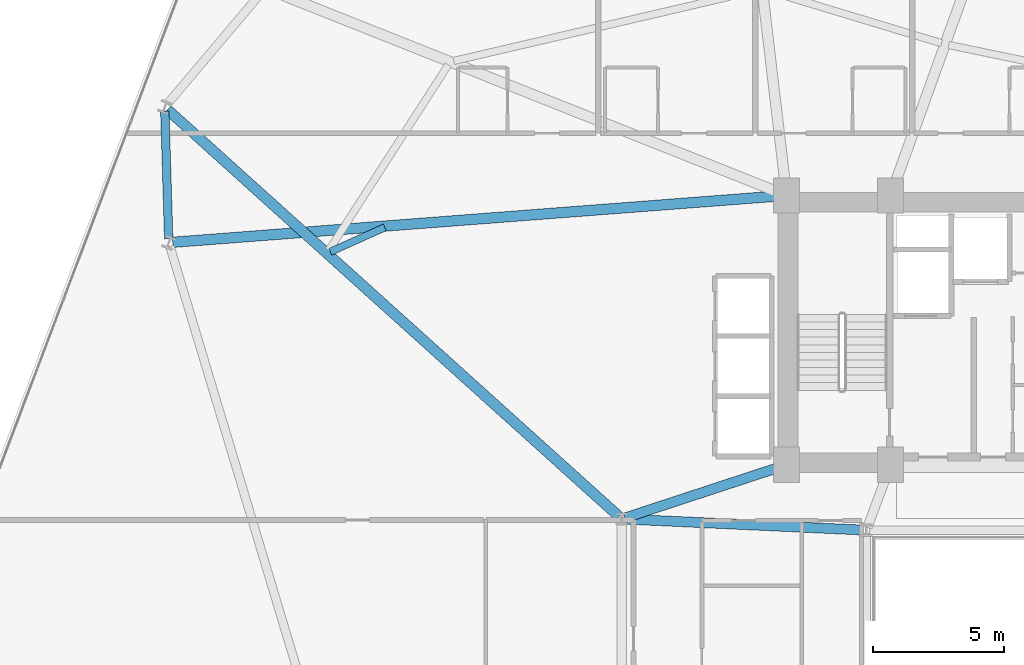
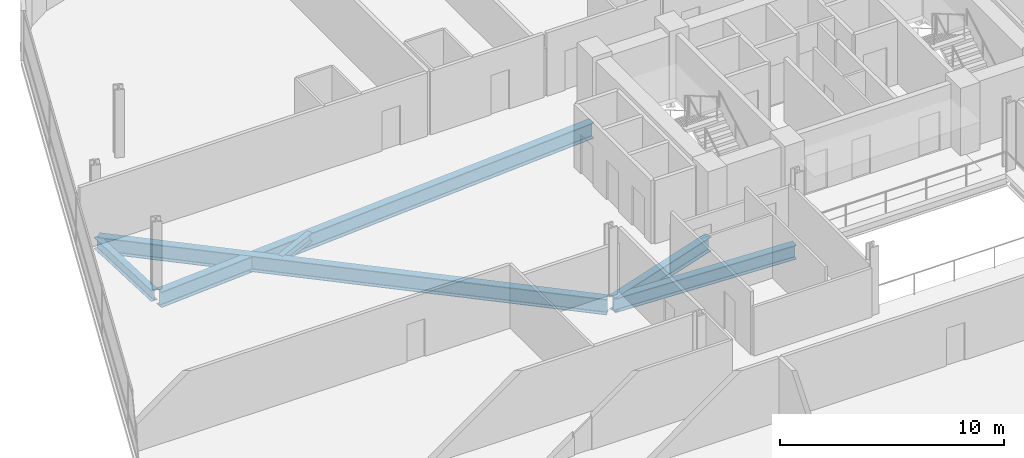
# One storey, part 7 of 24: 6 beams.
"""IFC4 building model written with IfcOpenShell, lengths in metres."""

from ifc_helpers import new_model, si_unit, direction, frame, origin, origin_2d, place, context, subcontext, project, spatial, i_section, extrude, material, material_profile, profile_set, type_object, element, save


model = new_model("IFC4")

# Units and contexts
model_context = context("Model", 3, precision=1e-05, world=origin(), true_north=direction((0.0, 1.0)))
body_context = subcontext(model_context, "Body", "Model", "MODEL_VIEW")
ifc_project = project(units=[si_unit("LENGTHUNIT", "METRE"), si_unit("AREAUNIT", "SQUARE_METRE"), si_unit("VOLUMEUNIT", "CUBIC_METRE"), si_unit("PLANEANGLEUNIT", "RADIAN"), si_unit("MASSUNIT", "GRAM", prefix="KILO")], contexts=[model_context])

# Site, building, storey
site_placement = place(None, origin())
site = spatial("IfcSite", under=ifc_project, at=site_placement, CompositionType="ELEMENT")
building_placement = place(site_placement, origin())
building = spatial("IfcBuilding", under=site, at=building_placement, Name="Varnelok Gate Tower", CompositionType="ELEMENT")
storey_placement = place(building_placement, frame((0.0, 0.0, 87.300048828125)))
storey = spatial("IfcBuildingStorey", under=building, at=storey_placement, Name="L21", CompositionType="ELEMENT", Elevation=87.300048828125)

# Beams
ifc_material = material(Name="Structural Steel ASTM A992 Grade 50", Category="steel")
ifc_material_profile_1 = material_profile(ifc_material, i_section(OverallWidth=0.280029296875, OverallDepth=0.462890625, WebThickness=0.0107421875, FlangeThickness=0.017333984375, FilletRadius=0.014892578125, at=origin_2d()), Name="W18X76")
ifc_profile_set_1 = profile_set([ifc_material_profile_1], Name="Structural Steel ASTM A992 Grade 50")
beam_type_1 = type_object("IfcBeamType", Name="BM-JST-W18X76", PredefinedType="JOIST", material=ifc_profile_set_1)
beam_1_placement = place(storey_placement, frame((13.25537109375, 36.894287109375, -0.4814453125), z_axis=(0.912301338423, 0.409519557423, 0.0), x_axis=(-0.409519557423, 0.912301338423, 0.0)))
element("IfcBeam", 1, at=beam_1_placement, inside=storey, type_object=beam_type_1, Name="L21 Sector Floor Joist 13", PredefinedType="JOIST", context=body_context, shape_type="SweptSolid", body=[
    extrude(i_section(OverallWidth=0.280029296875, OverallDepth=0.462890625, WebThickness=0.0107421875, FlangeThickness=0.017333984375, FilletRadius=0.014892578125, at=origin_2d()), origin(), (0.0, 0.0, 1.0), 2.28271484375),
])
ifc_material_profile_2 = material_profile(ifc_material, i_section(OverallWidth=0.381103515625, OverallDepth=0.77294921875, WebThickness=0.0166015625, FlangeThickness=0.027099609375, FilletRadius=0.02197265625, at=origin_2d()), Name="W30X173")
ifc_profile_set_2 = profile_set([ifc_material_profile_2], Name="Structural Steel ASTM A992 Grade 50")
beam_type_2 = type_object("IfcBeamType", Name="BM-PRI-W30X173", PredefinedType="BEAM", material=ifc_profile_set_2)
beam_2_placement = place(storey_placement, frame((24.52001953125, 26.674560546875, -0.636474609375), z_axis=(0.99894427814, -0.045938319209, 0.0), x_axis=(0.045938319209, 0.99894427814, 0.0)))
element("IfcBeam", 2, at=beam_2_placement, inside=storey, type_object=beam_type_2, Name="L21 Core-Atrium Spine Beam 15", PredefinedType="BEAM", context=body_context, shape_type="SweptSolid", body=[
    extrude(i_section(OverallWidth=0.381103515625, OverallDepth=0.77294921875, WebThickness=0.0166015625, FlangeThickness=0.027099609375, FilletRadius=0.02197265625, at=origin_2d()), origin(), (0.0, 0.0, 1.0), 9.11962890625),
])
beam_3_placement = place(storey_placement, frame((24.513916015625, 26.717529296875, -0.636474609375), z_axis=(0.950041943788, 0.312122259768, 0.0), x_axis=(-0.312122259768, 0.950041943788, 0.0)))
element("IfcBeam", 3, at=beam_3_placement, inside=storey, type_object=beam_type_2, Name="L21 Core-Atrium Spine Beam 17", PredefinedType="BEAM", context=body_context, shape_type="SweptSolid", body=[
    extrude(i_section(OverallWidth=0.381103515625, OverallDepth=0.77294921875, WebThickness=0.0166015625, FlangeThickness=0.027099609375, FilletRadius=0.02197265625, at=origin_2d()), origin(), (0.0, 0.0, 1.0), 6.391357421875),
])
ifc_material_profile_3 = material_profile(ifc_material, i_section(OverallWidth=0.39892578125, OverallDepth=0.85498046875, WebThickness=0.018310546875, FlangeThickness=0.029296875, FilletRadius=0.02392578125, at=origin_2d()), Name="W33X201")
ifc_profile_set_3 = profile_set([ifc_material_profile_3], Name="Structural Steel ASTM A992 Grade 50")
beam_type_3 = type_object("IfcBeamType", Name="BM-PRI-W33X201", PredefinedType="BEAM", material=ifc_profile_set_3)
beam_4_placement = place(storey_placement, frame((24.28857421875, 26.780517578125, -0.677490234375), z_axis=(-0.742906696972, 0.669394980258, 0.0), x_axis=(-0.669394980258, -0.742906696972, 0.0)))
element("IfcBeam", 4, at=beam_4_placement, inside=storey, type_object=beam_type_3, Name="L21 Radial Floor Girder 15", PredefinedType="BEAM", context=body_context, shape_type="SweptSolid", body=[
    extrude(i_section(OverallWidth=0.39892578125, OverallDepth=0.85498046875, WebThickness=0.018310546875, FlangeThickness=0.029296875, FilletRadius=0.02392578125, at=origin_2d()), origin(), (0.0, 0.0, 1.0), 23.224609375),
])
beam_5_placement = place(storey_placement, frame((30.55029296875, 39.03857421875, -0.677490234375), z_axis=(-0.997095422745, -0.076162444427, 0.0), x_axis=(0.076162444427, -0.997095422745, 0.0)))
element("IfcBeam", 5, at=beam_5_placement, inside=storey, type_object=beam_type_3, Name="L21 Radial Floor Girder 16", PredefinedType="BEAM", context=body_context, shape_type="SweptSolid", body=[
    extrude(i_section(OverallWidth=0.39892578125, OverallDepth=0.85498046875, WebThickness=0.018310546875, FlangeThickness=0.029296875, FilletRadius=0.02392578125, at=origin_2d()), origin(), (0.0, 0.0, 1.0), 23.387451171875),
])
ifc_material_profile_4 = material_profile(ifc_material, i_section(OverallWidth=0.323974609375, OverallDepth=0.611083984375, WebThickness=0.0126953125, FlangeThickness=0.01904296875, FilletRadius=0.01806640625, at=origin_2d()), Name="W24X104")
ifc_profile_set_4 = profile_set([ifc_material_profile_4], Name="Structural Steel ASTM A992 Grade 50")
beam_type_4 = type_object("IfcBeamType", Name="BM-SPN-W24X104", PredefinedType="SPANDREL", material=ifc_profile_set_4)
beam_6_placement = place(storey_placement, frame((6.927978515625, 42.277587890625, -0.5556640625), z_axis=(0.030393553869, -0.999538009224, 0.0), x_axis=(0.999538009224, 0.030393553869, 0.0)))
element("IfcBeam", 6, at=beam_6_placement, inside=storey, type_object=beam_type_4, Name="L21 Perimeter Spandrel Beam 15", PredefinedType="SPANDREL", context=body_context, shape_type="SweptSolid", body=[
    extrude(i_section(OverallWidth=0.323974609375, OverallDepth=0.611083984375, WebThickness=0.0126953125, FlangeThickness=0.01904296875, FilletRadius=0.01806640625, at=origin_2d()), origin(), (0.0, 0.0, 1.0), 4.8837890625),
])

save(model, "model.ifc")
